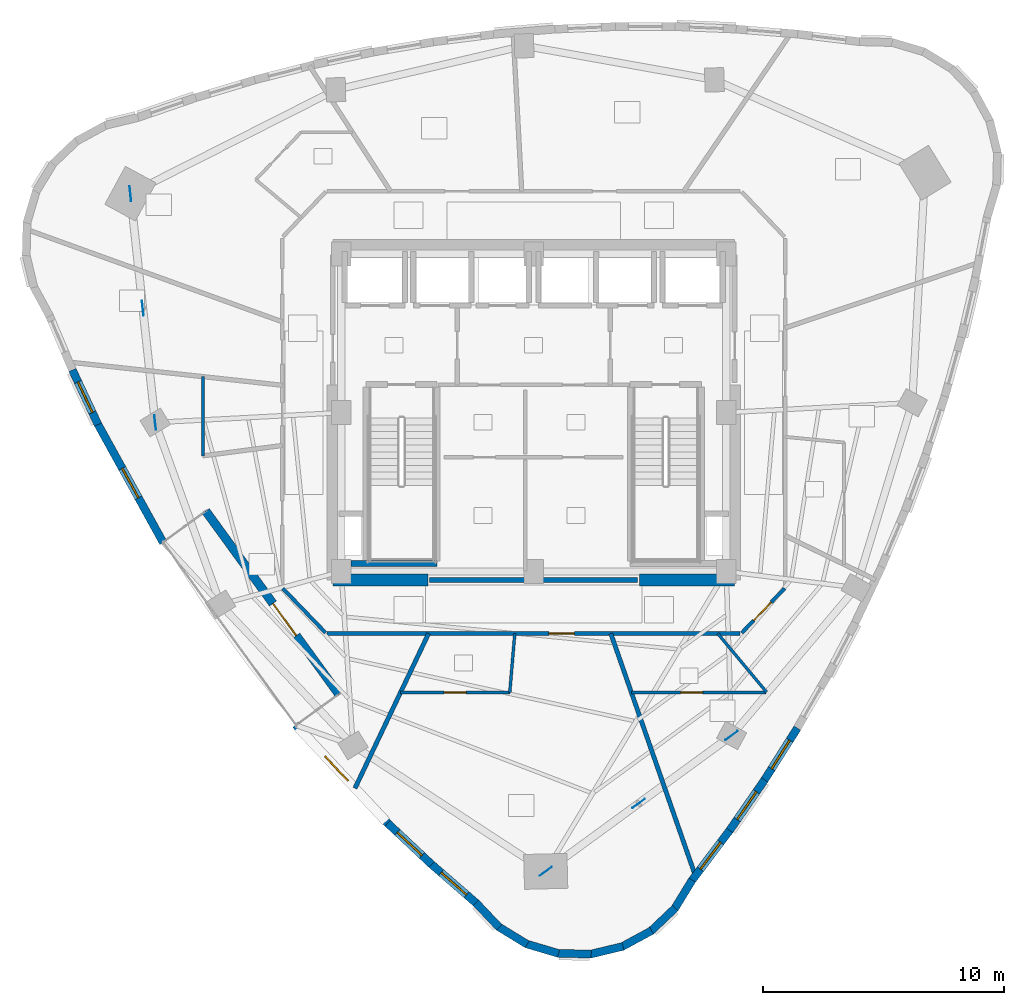
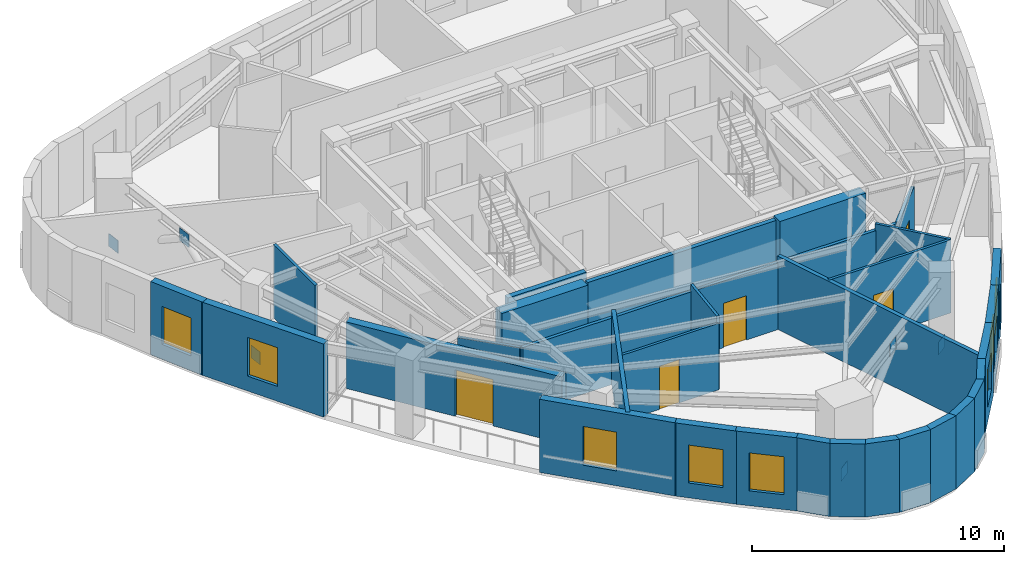
# One storey, part 6 of 13: 31 walls, 8 windows, 6 plates, 5 doors, 13 openings.
"""IFC4 building model written with IfcOpenShell, lengths in metres."""

from ifc_helpers import new_model, si_unit, direction, frame, frame_2d, origin, origin_2d, place, context, subcontext, project, spatial, rectangle, extrude, material, layer, layer_set, type_object, element, fill, save


model = new_model("IFC4")

# Units and contexts
model_context = context("Model", 3, precision=1e-05, world=origin(), true_north=direction((0.0, 1.0)))
body_context = subcontext(model_context, "Body", "Model", "MODEL_VIEW")
ifc_project = project(units=[si_unit("LENGTHUNIT", "METRE"), si_unit("AREAUNIT", "SQUARE_METRE"), si_unit("VOLUMEUNIT", "CUBIC_METRE"), si_unit("PLANEANGLEUNIT", "RADIAN"), si_unit("MASSUNIT", "GRAM", prefix="KILO")], contexts=[model_context])

# Site, building, storey
site_placement = place(None, origin())
site = spatial("IfcSite", under=ifc_project, at=site_placement, CompositionType="ELEMENT")
building_placement = place(site_placement, origin())
building = spatial("IfcBuilding", under=site, at=building_placement, Name="Ndelora Gate Hotel", CompositionType="ELEMENT")
storey_placement = place(building_placement, frame((0.0, 0.0, 228.35009765625)))
storey = spatial("IfcBuildingStorey", under=building, at=storey_placement, Name="L57", CompositionType="ELEMENT", Elevation=228.35009765625)

# Plates
ifc_material_1 = material(Name="Steel S355", Category="steel")
ifc_layer_1 = layer(ifc_material_1, 0.02001953125)
ifc_layer_set_1 = layer_set([ifc_layer_1], Name="Steel S355")
plate_type = type_object("IfcPlateType", Name="PL-NODE-VN1", PredefinedType="USERDEFINED", material=ifc_layer_set_1)
for number, where, z_axis, x_axis, name in (
    (1, (-16.759521484375, 9.099609375, -0.2900390625), (0.0, 0.0, 1.0), (-0.107652324982, 0.994188602291, 0.0), "Node gusset cap plate VN1"),
    (2, (-15.72998046875, -0.411865234375, -0.2900390625), (0.0, 0.0, 1.0), (-0.107652324982, 0.994188602291, 0.0), "Node gusset cap plate VN1"),
    (3, (-16.24462890625, 4.343994140625, 2.68994140625), (0.0, 0.0, 1.0), (-0.107652324982, 0.994188602291, 0.0), "Node gusset cap plate VN1"),
    (4, (0.499267578125, -19.064208984375, -0.2900390625), (0.0, 0.0, 1.0), (0.807475405485, 0.589901237104, 0.0), "Node gusset cap plate VN1"),
    (5, (8.223876953125, -13.419921875, -0.2900390625), (0.0, 0.0, 1.0), (0.807475405485, 0.589901237104, 0.0), "Node gusset cap plate VN1"),
    (6, (4.361572265625, -16.241943359375, 2.68994140625), (0.0, 0.0, 1.0), (0.807475405485, 0.589901237104, 0.0), "Node gusset cap plate VN1"),
):
    element("IfcPlate", number, at=place(storey_placement, frame(where, z_axis=z_axis, x_axis=x_axis)), inside=storey, type_object=plate_type, Name=name, ObjectType="GUSSET_PLATE", PredefinedType="USERDEFINED", context=body_context, shape_type="SweptSolid", body=[
        extrude(rectangle(XDim=0.6201171875, YDim=0.02001953125, at=origin_2d()), origin(), (0.0, 0.0, 1.0), 0.6201171875),
    ])

# Walls
ifc_material_2 = material(Name="Acoustic Double-Stud Gypsum Assembly", Category="gypsum")
ifc_layer_2 = layer(ifc_material_2, 0.179931640625)
ifc_layer_set_2 = layer_set([ifc_layer_2], Name="Acoustic Double-Stud Gypsum Assembly")
wall_type_1 = type_object("IfcWallType", Name="WL-ACOUST-180", PredefinedType="PARTITIONING", material=ifc_layer_set_2)
wall_1_placement = place(storey_placement, frame((-4.368408203125, -9.179931640625, 0.0), z_axis=(0.0, 0.0, 1.0), x_axis=(-0.429699353622, -0.902972018114, 0.0)))
element("IfcWall", 7, at=wall_1_placement, inside=storey, type_object=wall_type_1, Name="L57 Interior Wall IW-3", PredefinedType="PARTITIONING", context=body_context, shape_type="SweptSolid", body=[
    extrude(rectangle(XDim=7.121337890625, YDim=0.179931640625, at=frame_2d((3.560546875, 0.0))), origin(), (0.0, 0.0, 1.0), 3.5498046875),
])
wall_2_placement = place(storey_placement, frame((3.2041015625, -9.179931640625, 0.0), z_axis=(0.0, 0.0, 1.0), x_axis=(0.329550080766, -0.944138095973, 0.0)))
element("IfcWall", 8, at=wall_2_placement, inside=storey, type_object=wall_type_1, Name="L57 Interior Wall IW-3", PredefinedType="PARTITIONING", context=body_context, shape_type="SweptSolid", body=[
    extrude(rectangle(XDim=10.66796875, YDim=0.179931640625, at=frame_2d((5.333984375, 0.0))), origin(), (0.0, 0.0, 1.0), 3.5498046875),
])

# Wall, opening, window
ifc_material_3 = material(Name="Clay Brick Masonry", Category="masonry")
ifc_layer_3 = layer(ifc_material_3, 0.330078125)
ifc_layer_set_3 = layer_set([ifc_layer_3], Name="Clay Brick Masonry")
wall_type_2 = type_object("IfcWallType", Name="WL-BRICK-330", PredefinedType="SOLIDWALL", material=ifc_layer_set_3)
wall_3_placement = place(storey_placement, frame((-18.105224609375, -0.498291015625, 0.0), z_axis=(0.0, 0.0, 1.0), x_axis=(-0.425281427791, 0.905061162119, 0.0)))
wall_3 = element("IfcWall", 9, at=wall_3_placement, inside=storey, type_object=wall_type_2, Name="L57 Tower Brick Pier-and-Spandrel Wall TWR-10", PredefinedType="SOLIDWALL", context=body_context, shape_type="SweptSolid", body=[
    extrude(rectangle(XDim=2.5087890625, YDim=0.330078125, at=frame_2d((1.25439453125, 0.0))), origin(), (0.0, 0.0, 1.0), 3.5498046875),
])
opening_1_placement = place(wall_3_placement, frame((0.554443359375, 0.0, 0.719970703125)))
opening_1 = element("IfcOpeningElement", 10, at=opening_1_placement, cuts=wall_3, Name="Opening W02", PredefinedType="OPENING", context=body_context, shape_type="SweptSolid", body=[
    extrude(rectangle(XDim=1.39990234375, YDim=1.840087890625, at=frame_2d((0.699951171875, 0.919921875))), frame((0.0, 0.175048828125, 0.0), z_axis=(0.0, -1.0, 0.0), x_axis=(1.0, 0.0, 0.0)), (0.0, 0.0, 1.0), 0.35009765625),
])
ifc_material_4 = material(Name="Insulated Low-E Double Glazing in Bronze Aluminium Frame", Category="aluminium")
window_type = type_object("IfcWindowType", Name="WN-DEEP-1400", PartitioningType="SINGLE_PANEL", PredefinedType="WINDOW", material=ifc_material_4)
window_1_placement = place(opening_1_placement, origin())
window_1 = element("IfcWindow", 11, at=window_1_placement, inside=storey, type_object=window_type, Name="L57 Deep-Set Brick-Pier Window W02", OverallHeight=1.840087890625, OverallWidth=1.39990234375, PartitioningType="SINGLE_PANEL", PredefinedType="WINDOW", context=body_context, shape_type="SweptSolid", body=[
    extrude(rectangle(XDim=1.39990234375, YDim=1.840087890625, at=frame_2d((0.699951171875, 0.919921875))), frame((0.0, 0.030029296875, 0.0), z_axis=(0.0, -1.0, 0.0), x_axis=(1.0, 0.0, 0.0)), (0.0, 0.0, 1.0), 0.06005859375),
])
fill(opening_1, window_1)

wall_4_placement = place(storey_placement, frame((-15.395263671875, -5.406494140625, 0.0), z_axis=(0.0, 0.0, 1.0), x_axis=(-0.483083047652, 0.87557453656, 0.0)))
wall_4 = element("IfcWall", 12, at=wall_4_placement, inside=storey, type_object=wall_type_2, Name="L57 Tower Brick Pier-and-Spandrel Wall TWR-11", PredefinedType="SOLIDWALL", context=body_context, shape_type="SweptSolid", body=[
    extrude(rectangle(XDim=5.65673828125, YDim=0.330078125, at=frame_2d((2.828369140625, 0.0))), origin(), (0.0, 0.0, 1.0), 3.5498046875),
])
opening_2_placement = place(wall_4_placement, frame((2.12841796875, 0.0, 0.719970703125)))
opening_2 = element("IfcOpeningElement", 13, at=opening_2_placement, cuts=wall_4, Name="Opening W02", PredefinedType="OPENING", context=body_context, shape_type="SweptSolid", body=[
    extrude(rectangle(XDim=1.39990234375, YDim=1.8798828125, at=frame_2d((0.699951171875, 0.93994140625))), frame((0.0, 0.175048828125, 0.0), z_axis=(0.0, -1.0, 0.0), x_axis=(1.0, 0.0, 0.0)), (0.0, 0.0, 1.0), 0.35009765625),
])
window_2_placement = place(opening_2_placement, origin())
window_2 = element("IfcWindow", 14, at=window_2_placement, inside=storey, type_object=window_type, Name="L57 Deep-Set Brick-Pier Window W02", OverallHeight=1.8798828125, OverallWidth=1.39990234375, PartitioningType="SINGLE_PANEL", PredefinedType="WINDOW", context=body_context, shape_type="SweptSolid", body=[
    extrude(rectangle(XDim=1.39990234375, YDim=1.8798828125, at=frame_2d((0.699951171875, 0.93994140625))), frame((0.0, 0.030029296875, 0.0), z_axis=(0.0, -1.0, 0.0), x_axis=(1.0, 0.0, 0.0)), (0.0, 0.0, 1.0), 0.06005859375),
])
fill(opening_2, window_2)

wall_5_placement = place(storey_placement, frame((-6.033203125, -17.100341796875, 0.0), z_axis=(0.0, 0.0, 1.0), x_axis=(-0.683483012733, 0.72996641793, 0.0)))
wall_5 = element("IfcWall", 15, at=wall_5_placement, inside=storey, type_object=wall_type_2, Name="L57 Tower Brick Pier-and-Spandrel Wall TWR-16", PredefinedType="SOLIDWALL", context=body_context, shape_type="SweptSolid", body=[
    extrude(rectangle(XDim=5.65673828125, YDim=0.330078125, at=frame_2d((2.828369140625, 0.0))), origin(), (0.0, 0.0, 1.0), 3.5498046875),
])
opening_3_placement = place(wall_5_placement, frame((2.4599609375, 0.0, 0.719970703125)))
opening_3 = element("IfcOpeningElement", 16, at=opening_3_placement, cuts=wall_5, Name="Opening W02", PredefinedType="OPENING", context=body_context, shape_type="SweptSolid", body=[
    extrude(rectangle(XDim=1.39990234375, YDim=1.8798828125, at=frame_2d((0.699951171875, 0.93994140625))), frame((0.0, 0.175048828125, 0.0), z_axis=(0.0, -1.0, 0.0), x_axis=(1.0, 0.0, 0.0)), (0.0, 0.0, 1.0), 0.35009765625),
])
window_3_placement = place(opening_3_placement, origin())
window_3 = element("IfcWindow", 17, at=window_3_placement, inside=storey, type_object=window_type, Name="L57 Deep-Set Brick-Pier Window W02", OverallHeight=1.8798828125, OverallWidth=1.39990234375, PartitioningType="SINGLE_PANEL", PredefinedType="WINDOW", context=body_context, shape_type="SweptSolid", body=[
    extrude(rectangle(XDim=1.39990234375, YDim=1.8798828125, at=frame_2d((0.699951171875, 0.93994140625))), frame((0.0, 0.030029296875, 0.0), z_axis=(0.0, -1.0, 0.0), x_axis=(1.0, 0.0, 0.0)), (0.0, 0.0, 1.0), 0.06005859375),
])
fill(opening_3, window_3)

wall_6_placement = place(storey_placement, frame((-4.239013671875, -18.781494140625, 0.0), z_axis=(0.0, 0.0, 1.0), x_axis=(-0.729324721521, 0.684167706471, 0.0)))
wall_6 = element("IfcWall", 18, at=wall_6_placement, inside=storey, type_object=wall_type_2, Name="L57 Tower Brick Pier-and-Spandrel Wall TWR-17", PredefinedType="SOLIDWALL", context=body_context, shape_type="SweptSolid", body=[
    extrude(rectangle(XDim=2.508544921875, YDim=0.330078125, at=frame_2d((1.25439453125, 0.0))), origin(), (0.0, 0.0, 1.0), 3.5498046875),
])
opening_4_placement = place(wall_6_placement, frame((0.554443359375, 0.0, 0.719970703125)))
opening_4 = element("IfcOpeningElement", 19, at=opening_4_placement, cuts=wall_6, Name="Opening W02", PredefinedType="OPENING", context=body_context, shape_type="SweptSolid", body=[
    extrude(rectangle(XDim=1.39990234375, YDim=1.840087890625, at=frame_2d((0.699951171875, 0.919921875))), frame((0.0, 0.175048828125, 0.0), z_axis=(0.0, -1.0, 0.0), x_axis=(1.0, 0.0, 0.0)), (0.0, 0.0, 1.0), 0.35009765625),
])
window_4_placement = place(opening_4_placement, origin())
window_4 = element("IfcWindow", 20, at=window_4_placement, inside=storey, type_object=window_type, Name="L57 Deep-Set Brick-Pier Window W02", OverallHeight=1.840087890625, OverallWidth=1.39990234375, PartitioningType="SINGLE_PANEL", PredefinedType="WINDOW", context=body_context, shape_type="SweptSolid", body=[
    extrude(rectangle(XDim=1.39990234375, YDim=1.840087890625, at=frame_2d((0.699951171875, 0.919921875))), frame((0.0, 0.030029296875, 0.0), z_axis=(0.0, -1.0, 0.0), x_axis=(1.0, 0.0, 0.0)), (0.0, 0.0, 1.0), 0.06005859375),
])
fill(opening_4, window_4)

wall_7_placement = place(storey_placement, frame((-2.3662109375, -20.40576171875, 0.0), z_axis=(0.0, 0.0, 1.0), x_axis=(-0.755166427135, 0.655533116881, 0.0)))
wall_7 = element("IfcWall", 21, at=wall_7_placement, inside=storey, type_object=wall_type_2, Name="L57 Tower Brick Pier-and-Spandrel Wall TWR-18", PredefinedType="SOLIDWALL", context=body_context, shape_type="SweptSolid", body=[
    extrude(rectangle(XDim=2.52880859375, YDim=0.330078125, at=frame_2d((1.264404296875, 0.0))), origin(), (0.0, 0.0, 1.0), 3.5498046875),
])
opening_5_placement = place(wall_7_placement, frame((0.564453125, 0.0, 0.719970703125)))
opening_5 = element("IfcOpeningElement", 22, at=opening_5_placement, cuts=wall_7, Name="Opening W02", PredefinedType="OPENING", context=body_context, shape_type="SweptSolid", body=[
    extrude(rectangle(XDim=1.39990234375, YDim=1.840087890625, at=frame_2d((0.699951171875, 0.919921875))), frame((0.0, 0.175048828125, 0.0), z_axis=(0.0, -1.0, 0.0), x_axis=(1.0, 0.0, 0.0)), (0.0, 0.0, 1.0), 0.35009765625),
])
window_5_placement = place(opening_5_placement, origin())
window_5 = element("IfcWindow", 23, at=window_5_placement, inside=storey, type_object=window_type, Name="L57 Deep-Set Brick-Pier Window W02", OverallHeight=1.840087890625, OverallWidth=1.39990234375, PartitioningType="SINGLE_PANEL", PredefinedType="WINDOW", context=body_context, shape_type="SweptSolid", body=[
    extrude(rectangle(XDim=1.39990234375, YDim=1.840087890625, at=frame_2d((0.699951171875, 0.919921875))), frame((0.0, 0.030029296875, 0.0), z_axis=(0.0, -1.0, 0.0), x_axis=(1.0, 0.0, 0.0)), (0.0, 0.0, 1.0), 0.06005859375),
])
fill(opening_5, window_5)

# Walls
wall_8_placement = place(storey_placement, frame((-1.43359375, -21.39208984375, 0.0), z_axis=(0.0, 0.0, 1.0), x_axis=(-0.688302566146, 0.725423722687, 0.0)))
element("IfcWall", 24, at=wall_8_placement, inside=storey, type_object=wall_type_2, Name="L57 Tower Brick Pier-and-Spandrel Wall TWR-19", PredefinedType="SOLIDWALL", context=body_context, shape_type="SweptSolid", body=[
    extrude(rectangle(XDim=1.407470703125, YDim=0.330078125, at=frame_2d((0.70361328125, 0.0))), origin(), (0.0, 0.0, 1.0), 3.5498046875),
])
wall_9_placement = place(storey_placement, frame((-0.27197265625, -22.09619140625, 0.0), z_axis=(0.0, 0.0, 1.0), x_axis=(-0.852633662668, 0.522509174355, 0.0)))
element("IfcWall", 25, at=wall_9_placement, inside=storey, type_object=wall_type_2, Name="L57 Tower Brick Pier-and-Spandrel Wall TWR-20", PredefinedType="SOLIDWALL", context=body_context, shape_type="SweptSolid", body=[
    extrude(rectangle(XDim=1.4072265625, YDim=0.330078125, at=frame_2d((0.70361328125, 0.0))), origin(), (0.0, 0.0, 1.0), 3.5498046875),
])
for number, where, z_axis, x_axis, name in (
    (26, (1.0322265625, -22.475830078125, 0.0), (0.0, 0.0, 1.0), (-0.95884184708, 0.283940684455, 0.0), "L57 Tower Brick Pier-and-Spandrel Wall TWR-21"),
    (27, (2.390380859375, -22.5048828125, 0.0), (0.0, 0.0, 1.0), (-0.999656913907, 0.02619264168, 0.0), "L57 Tower Brick Pier-and-Spandrel Wall TWR-22"),
    (28, (3.709716796875, -22.181640625, 0.0), (0.0, 0.0, 1.0), (-0.972404618844, -0.233300787076, 0.0), "L57 Tower Brick Pier-and-Spandrel Wall TWR-23"),
):
    element("IfcWall", number, at=place(storey_placement, frame(where, z_axis=z_axis, x_axis=x_axis)), inside=storey, type_object=wall_type_2, Name=name, PredefinedType="SOLIDWALL", context=body_context, shape_type="SweptSolid", body=[
        extrude(rectangle(XDim=1.407470703125, YDim=0.330078125, at=frame_2d((0.70361328125, 0.0))), origin(), (0.0, 0.0, 1.0), 3.5498046875),
    ])
wall_10_placement = place(storey_placement, frame((4.900146484375, -21.52783203125, 0.0), z_axis=(0.0, 0.0, 1.0), x_axis=(-0.878861744685, -0.477076549129, 0.0)))
element("IfcWall", 29, at=wall_10_placement, inside=storey, type_object=wall_type_2, Name="L57 Tower Brick Pier-and-Spandrel Wall TWR-24", PredefinedType="SOLIDWALL", context=body_context, shape_type="SweptSolid", body=[
    extrude(rectangle(XDim=1.4072265625, YDim=0.330078125, at=frame_2d((0.70361328125, 0.0))), origin(), (0.0, 0.0, 1.0), 3.5498046875),
])
for number, where, z_axis, x_axis, name in (
    (30, (5.881103515625, -20.588134765625, 0.0), (0.0, 0.0, 1.0), (-0.725423722687, -0.688302566146, 0.0), "L57 Tower Brick Pier-and-Spandrel Wall TWR-25"),
    (31, (6.585205078125, -19.426513671875, 0.0), (0.0, 0.0, 1.0), (-0.522431898615, -0.852681013809, 0.0), "L57 Tower Brick Pier-and-Spandrel Wall TWR-26"),
):
    element("IfcWall", number, at=place(storey_placement, frame(where, z_axis=z_axis, x_axis=x_axis)), inside=storey, type_object=wall_type_2, Name=name, PredefinedType="SOLIDWALL", context=body_context, shape_type="SweptSolid", body=[
        extrude(rectangle(XDim=1.407470703125, YDim=0.330078125, at=frame_2d((0.70361328125, 0.0))), origin(), (0.0, 0.0, 1.0), 3.5498046875),
    ])

# Wall, opening, window
wall_11_placement = place(storey_placement, frame((8.140625, -17.365966796875, 0.0), z_axis=(0.0, 0.0, 1.0), x_axis=(-0.601735324528, -0.798695561034, 0.0)))
wall_11 = element("IfcWall", 32, at=wall_11_placement, inside=storey, type_object=wall_type_2, Name="L57 Tower Brick Pier-and-Spandrel Wall TWR-27", PredefinedType="SOLIDWALL", context=body_context, shape_type="SweptSolid", body=[
    extrude(rectangle(XDim=2.631591796875, YDim=0.330078125, at=frame_2d((1.31591796875, 0.0))), origin(), (0.0, 0.0, 1.0), 3.5498046875),
])
opening_6_placement = place(wall_11_placement, frame((0.61572265625, 0.0, 0.719970703125)))
opening_6 = element("IfcOpeningElement", 33, at=opening_6_placement, cuts=wall_11, Name="Opening W02", PredefinedType="OPENING", context=body_context, shape_type="SweptSolid", body=[
    extrude(rectangle(XDim=1.39990234375, YDim=1.840087890625, at=frame_2d((0.699951171875, 0.919921875))), frame((0.0, 0.175048828125, 0.0), z_axis=(0.0, -1.0, 0.0), x_axis=(1.0, 0.0, 0.0)), (0.0, 0.0, 1.0), 0.35009765625),
])
window_6_placement = place(opening_6_placement, origin())
window_6 = element("IfcWindow", 34, at=window_6_placement, inside=storey, type_object=window_type, Name="L57 Deep-Set Brick-Pier Window W02", OverallHeight=1.840087890625, OverallWidth=1.39990234375, PartitioningType="SINGLE_PANEL", PredefinedType="WINDOW", context=body_context, shape_type="SweptSolid", body=[
    extrude(rectangle(XDim=1.39990234375, YDim=1.840087890625, at=frame_2d((0.699951171875, 0.919921875))), frame((0.0, 0.030029296875, 0.0), z_axis=(0.0, -1.0, 0.0), x_axis=(1.0, 0.0, 0.0)), (0.0, 0.0, 1.0), 0.06005859375),
])
fill(opening_6, window_6)

wall_12_placement = place(storey_placement, frame((9.596923828125, -15.260498046875, 0.0), z_axis=(0.0, 0.0, 1.0), x_axis=(-0.569122418308, -0.822252803571, 0.0)))
wall_12 = element("IfcWall", 35, at=wall_12_placement, inside=storey, type_object=wall_type_2, Name="L57 Tower Brick Pier-and-Spandrel Wall TWR-28", PredefinedType="SOLIDWALL", context=body_context, shape_type="SweptSolid", body=[
    extrude(rectangle(XDim=2.60986328125, YDim=0.330078125, at=frame_2d((1.304931640625, 0.0))), origin(), (0.0, 0.0, 1.0), 3.5498046875),
])
opening_7_placement = place(wall_12_placement, frame((0.60498046875, 0.0, 0.719970703125)))
opening_7 = element("IfcOpeningElement", 36, at=opening_7_placement, cuts=wall_12, Name="Opening W02", PredefinedType="OPENING", context=body_context, shape_type="SweptSolid", body=[
    extrude(rectangle(XDim=1.39990234375, YDim=1.840087890625, at=frame_2d((0.699951171875, 0.919921875))), frame((0.0, 0.175048828125, 0.0), z_axis=(0.0, -1.0, 0.0), x_axis=(1.0, 0.0, 0.0)), (0.0, 0.0, 1.0), 0.35009765625),
])
window_7_placement = place(opening_7_placement, origin())
window_7 = element("IfcWindow", 37, at=window_7_placement, inside=storey, type_object=window_type, Name="L57 Deep-Set Brick-Pier Window W02", OverallHeight=1.840087890625, OverallWidth=1.39990234375, PartitioningType="SINGLE_PANEL", PredefinedType="WINDOW", context=body_context, shape_type="SweptSolid", body=[
    extrude(rectangle(XDim=1.39990234375, YDim=1.840087890625, at=frame_2d((0.699951171875, 0.919921875))), frame((0.0, 0.030029296875, 0.0), z_axis=(0.0, -1.0, 0.0), x_axis=(1.0, 0.0, 0.0)), (0.0, 0.0, 1.0), 0.06005859375),
])
fill(opening_7, window_7)

wall_13_placement = place(storey_placement, frame((10.956787109375, -13.112060546875, 0.0), z_axis=(0.0, 0.0, 1.0), x_axis=(-0.535186500918, -0.844733928072, 0.0)))
wall_13 = element("IfcWall", 38, at=wall_13_placement, inside=storey, type_object=wall_type_2, Name="L57 Tower Brick Pier-and-Spandrel Wall TWR-29", PredefinedType="SOLIDWALL", context=body_context, shape_type="SweptSolid", body=[
    extrude(rectangle(XDim=2.592529296875, YDim=0.330078125, at=frame_2d((1.29638671875, 0.0))), origin(), (0.0, 0.0, 1.0), 3.5498046875),
])
opening_8_placement = place(wall_13_placement, frame((0.59619140625, 0.0, 0.719970703125)))
opening_8 = element("IfcOpeningElement", 39, at=opening_8_placement, cuts=wall_13, Name="Opening W02", PredefinedType="OPENING", context=body_context, shape_type="SweptSolid", body=[
    extrude(rectangle(XDim=1.39990234375, YDim=1.840087890625, at=frame_2d((0.699951171875, 0.919921875))), frame((0.0, 0.175048828125, 0.0), z_axis=(0.0, -1.0, 0.0), x_axis=(1.0, 0.0, 0.0)), (0.0, 0.0, 1.0), 0.35009765625),
])
window_8_placement = place(opening_8_placement, origin())
window_8 = element("IfcWindow", 40, at=window_8_placement, inside=storey, type_object=window_type, Name="L57 Deep-Set Brick-Pier Window W02", OverallHeight=1.840087890625, OverallWidth=1.39990234375, PartitioningType="SINGLE_PANEL", PredefinedType="WINDOW", context=body_context, shape_type="SweptSolid", body=[
    extrude(rectangle(XDim=1.39990234375, YDim=1.840087890625, at=frame_2d((0.699951171875, 0.919921875))), frame((0.0, 0.030029296875, 0.0), z_axis=(0.0, -1.0, 0.0), x_axis=(1.0, 0.0, 0.0)), (0.0, 0.0, 1.0), 0.06005859375),
])
fill(opening_8, window_8)

# Wall, opening, door
ifc_layer_4 = layer(ifc_material_3, 0.360107421875)
ifc_layer_set_4 = layer_set([ifc_layer_4], Name="Clay Brick Masonry")
wall_type_3 = type_object("IfcWallType", Name="WL-BRICK-360", PredefinedType="SOLIDWALL", material=ifc_layer_set_4)
wall_14_placement = place(storey_placement, frame((-8.102294921875, -11.6962890625, 0.0), z_axis=(0.0, 0.0, 1.0), x_axis=(-0.587801006747, 0.809005547859, 0.0)))
wall_14 = element("IfcWall", 41, at=wall_14_placement, inside=storey, type_object=wall_type_3, Name="L57 Sky-Garden Loggia Rear Brick Wall", PredefinedType="SOLIDWALL", context=body_context, shape_type="SweptSolid", body=[
    extrude(rectangle(XDim=9.400146484375, YDim=0.360107421875, at=frame_2d((4.7001953125, 0.0))), origin(), (0.0, 0.0, 1.0), 3.22998046875),
])
opening_9_placement = place(wall_14_placement, frame((3.0, 0.0, 0.0)))
opening_9 = element("IfcOpeningElement", 42, at=opening_9_placement, cuts=wall_14, Name="Opening TD1", PredefinedType="OPENING", context=body_context, shape_type="SweptSolid", body=[
    extrude(rectangle(XDim=1.64990234375, YDim=2.25, at=frame_2d((0.824951171875, 1.125))), frame((0.0, 0.18994140625, 0.0), z_axis=(0.0, -1.0, 0.0), x_axis=(1.0, 0.0, 0.0)), (0.0, 0.0, 1.0), 0.380126953125),
])
ifc_material_5 = material(Name="Architectural Bronze Glazed Door", Category="metal")
door_type_1 = type_object("IfcDoorType", Name="DR-TER-1650", OperationType="DOUBLE_DOOR_SINGLE_SWING", PredefinedType="DOOR", material=ifc_material_5)
door_1_placement = place(opening_9_placement, origin())
door_1 = element("IfcDoor", 43, at=door_1_placement, inside=storey, type_object=door_type_1, Name="L57 Sky-Garden Terrace Double Door TD1", OperationType="DOUBLE_DOOR_SINGLE_SWING", OverallHeight=2.25, OverallWidth=1.64990234375, PredefinedType="DOOR", context=body_context, shape_type="SweptSolid", body=[
    extrude(rectangle(XDim=1.64990234375, YDim=2.25, at=frame_2d((0.824951171875, 1.125))), frame((0.0, 0.02490234375, 0.0), z_axis=(0.0, -1.0, 0.0), x_axis=(1.0, 0.0, 0.0)), (0.0, 0.0, 1.0), 0.050048828125),
])
fill(opening_9, door_1)

# Walls
ifc_material_6 = material(Name="Concrete C50/60", Category="concrete")
ifc_layer_5 = layer(ifc_material_6, 0.5)
ifc_layer_set_5 = layer_set([ifc_layer_5], Name="Concrete C50/60")
wall_type_4 = type_object("IfcWallType", Name="WL-CORE-500", PredefinedType="SHEAR", material=ifc_layer_set_5)
for number, where, z_axis, x_axis, name in (
    (44, (-8.35009765625, -6.949951171875, 0.0), (0.0, 0.0, 1.0), (1.0, 0.0, 0.0), "L57 Core Shear Wall S-W"),
    (45, (4.39990234375, -6.949951171875, 0.0), (0.0, 0.0, 1.0), (1.0, 0.0, 0.0), "L57 Core Shear Wall S-E"),
):
    element("IfcWall", number, at=place(storey_placement, frame(where, z_axis=z_axis, x_axis=x_axis)), inside=storey, type_object=wall_type_4, Name=name, PredefinedType="SHEAR", context=body_context, shape_type="SweptSolid", body=[
        extrude(rectangle(XDim=3.9501953125, YDim=0.5, at=frame_2d((1.97509765625, 0.0))), origin(), (0.0, 0.0, 1.0), 3.5498046875),
    ])
ifc_material_7 = material(Name="Concrete C40/50", Category="concrete")
ifc_layer_6 = layer(ifc_material_7, 0.199951171875)
ifc_layer_set_6 = layer_set([ifc_layer_6], Name="Concrete C40/50")
wall_type_5 = type_object("IfcWallType", Name="WL-FIRE-200", PredefinedType="PARTITIONING", material=ifc_layer_set_6)
wall_15_placement = place(storey_placement, frame((-4.320068359375, -6.949951171875, 0.0), z_axis=(0.0, 0.0, 1.0), x_axis=(1.0, 0.0, 0.0)))
element("IfcWall", 46, at=wall_15_placement, inside=storey, type_object=wall_type_5, Name="L57 Interior Wall IW-2", PredefinedType="PARTITIONING", context=body_context, shape_type="SweptSolid", body=[
    extrude(rectangle(XDim=8.64013671875, YDim=0.199951171875, at=frame_2d((4.320068359375, 0.0))), origin(), (0.0, 0.0, 1.0), 3.5498046875),
])

# Wall, opening, door
ifc_material_8 = material(Name="Fire-Rated Gypsum Stud Partition", Category="gypsum")
ifc_layer_7 = layer(ifc_material_8, 0.14990234375)
ifc_layer_set_7 = layer_set([ifc_layer_7], Name="Fire-Rated Gypsum Stud Partition")
wall_type_6 = type_object("IfcWallType", Name="WL-PART-150", PredefinedType="PARTITIONING", material=ifc_layer_set_7)
wall_16_placement = place(storey_placement, frame((8.580078125, -9.179931640625, 0.0), z_axis=(0.0, 0.0, 1.0), x_axis=(-1.0, 0.0, 0.0)))
wall_16 = element("IfcWall", 47, at=wall_16_placement, inside=storey, type_object=wall_type_6, Name="L57 Interior Wall IW-5", PredefinedType="PARTITIONING", context=body_context, shape_type="SweptSolid", body=[
    extrude(rectangle(XDim=17.16015625, YDim=0.14990234375, at=frame_2d((8.580078125, 0.0))), origin(), (0.0, 0.0, 1.0), 3.22998046875),
])
opening_10_placement = place(wall_16_placement, frame((6.8857421875, 0.0, 0.0)))
opening_10 = element("IfcOpeningElement", 48, at=opening_10_placement, cuts=wall_16, Name="Opening D07", PredefinedType="OPENING", context=body_context, shape_type="SweptSolid", body=[
    extrude(rectangle(XDim=1.06005859375, YDim=2.14990234375, at=frame_2d((0.530029296875, 1.074951171875))), frame((0.0, 0.0849609375, 0.0), z_axis=(0.0, -1.0, 0.0), x_axis=(1.0, 0.0, 0.0)), (0.0, 0.0, 1.0), 0.169921875),
])
ifc_material_9 = material(Name="Diplomatic Suite Acoustic Entrance Door", Category="wood")
door_type_2 = type_object("IfcDoorType", Name="DR-SUITE-1060", OperationType="SINGLE_SWING_LEFT", PredefinedType="DOOR", material=ifc_material_9)
door_2_placement = place(opening_10_placement, origin())
door_2 = element("IfcDoor", 49, at=door_2_placement, inside=storey, type_object=door_type_2, Name="L57 Highland Executive Two-Bay Suite 6001 Entrance Door", OperationType="SINGLE_SWING_LEFT", OverallHeight=2.14990234375, OverallWidth=1.06005859375, PredefinedType="DOOR", context=body_context, shape_type="SweptSolid", body=[
    extrude(rectangle(XDim=1.06005859375, YDim=2.14990234375, at=frame_2d((0.530029296875, 1.074951171875))), frame((0.0, 0.02490234375, 0.0), z_axis=(0.0, -1.0, 0.0), x_axis=(1.0, 0.0, 0.0)), (0.0, 0.0, 1.0), 0.050048828125),
])
fill(opening_10, door_2)

wall_17_placement = place(storey_placement, frame((10.42236328125, -7.308837890625, 0.0), z_axis=(0.0, 0.0, 1.0), x_axis=(-0.693764562202, -0.720201869085, 0.0)))
wall_17 = element("IfcWall", 50, at=wall_17_placement, inside=storey, type_object=wall_type_6, Name="L57 Interior Wall IW-5", PredefinedType="PARTITIONING", context=body_context, shape_type="SweptSolid", body=[
    extrude(rectangle(XDim=2.55810546875, YDim=0.14990234375, at=frame_2d((1.279052734375, 0.0))), origin(), (0.0, 0.0, 1.0), 3.22998046875),
])
opening_11_placement = place(wall_17_placement, frame((0.7890625, 0.0, 0.0)))
opening_11 = element("IfcOpeningElement", 51, at=opening_11_placement, cuts=wall_17, Name="Opening D07", PredefinedType="OPENING", context=body_context, shape_type="SweptSolid", body=[
    extrude(rectangle(XDim=1.06005859375, YDim=2.14990234375, at=frame_2d((0.530029296875, 1.074951171875))), frame((0.0, 0.0849609375, 0.0), z_axis=(0.0, -1.0, 0.0), x_axis=(1.0, 0.0, 0.0)), (0.0, 0.0, 1.0), 0.169921875),
])
door_3_placement = place(opening_11_placement, origin())
door_3 = element("IfcDoor", 52, at=door_3_placement, inside=storey, type_object=door_type_2, Name="L57 Corner Panoramic Executive Suite 6002 Entrance Door", OperationType="SINGLE_SWING_LEFT", OverallHeight=2.14990234375, OverallWidth=1.06005859375, PredefinedType="DOOR", context=body_context, shape_type="SweptSolid", body=[
    extrude(rectangle(XDim=1.06005859375, YDim=2.14990234375, at=frame_2d((0.530029296875, 1.074951171875))), frame((0.0, 0.02490234375, 0.0), z_axis=(0.0, -1.0, 0.0), x_axis=(1.0, 0.0, 0.0)), (0.0, 0.0, 1.0), 0.050048828125),
])
fill(opening_11, door_3)

# Walls
wall_18_placement = place(storey_placement, frame((-8.647705078125, -9.151123046875, 0.0), z_axis=(0.0, 0.0, 1.0), x_axis=(-0.693764562202, 0.720201869085, 0.0)))
element("IfcWall", 53, at=wall_18_placement, inside=storey, type_object=wall_type_6, Name="L57 Interior Wall IW-5", PredefinedType="PARTITIONING", context=body_context, shape_type="SweptSolid", body=[
    extrude(rectangle(XDim=2.55810546875, YDim=0.14990234375, at=frame_2d((1.279052734375, 0.0))), origin(), (0.0, 0.0, 1.0), 3.22998046875),
])
ifc_layer_8 = layer(ifc_material_6, 0.239990234375)
ifc_layer_set_8 = layer_set([ifc_layer_8], Name="Concrete C50/60")
wall_type_7 = type_object("IfcWallType", Name="WL-STAIR-240", PredefinedType="SHEAR", material=ifc_layer_set_8)
wall_19_placement = place(storey_placement, frame((-7.60009765625, -6.27001953125, 0.0), z_axis=(0.0, 0.0, 1.0), x_axis=(1.0, 0.0, 0.0)))
element("IfcWall", 54, at=wall_19_placement, inside=storey, type_object=wall_type_7, Name="L57 Stair Core Shear Wall SW-ST", PredefinedType="SHEAR", context=body_context, shape_type="SweptSolid", body=[
    extrude(rectangle(XDim=3.590087890625, YDim=0.239990234375, at=frame_2d((1.794921875, 0.0))), origin(), (0.0, 0.0, 1.0), 3.5498046875),
])
ifc_material_10 = material(Name="Moisture-Resistant Bathroom Tile Partition", Category="gypsum")
ifc_layer_9 = layer(ifc_material_10, 0.1201171875)
ifc_layer_set_9 = layer_set([ifc_layer_9], Name="Moisture-Resistant Bathroom Tile Partition")
wall_type_8 = type_object("IfcWallType", Name="WL-WET-120", PredefinedType="PARTITIONING", material=ifc_layer_set_9)
wall_20_placement = place(storey_placement, frame((-0.78564453125, -9.179931640625, 0.0), z_axis=(0.0, 0.0, 1.0), x_axis=(-0.085189929116, -0.996364730396, 0.0)))
element("IfcWall", 55, at=wall_20_placement, inside=storey, type_object=wall_type_8, Name="L57 Interior Wall IW-7", PredefinedType="PARTITIONING", context=body_context, shape_type="SweptSolid", body=[
    extrude(rectangle(XDim=2.458984375, YDim=0.1201171875, at=frame_2d((1.2294921875, 0.0))), origin(), (0.0, 0.0, 1.0), 3.5498046875),
])

# Wall, opening, door
wall_21_placement = place(storey_placement, frame((-0.9951171875, -11.6298828125, 0.0), z_axis=(0.0, 0.0, 1.0), x_axis=(-1.0, 0.0, 0.0)))
wall_21 = element("IfcWall", 56, at=wall_21_placement, inside=storey, type_object=wall_type_8, Name="L57 Interior Wall IW-7", PredefinedType="PARTITIONING", context=body_context, shape_type="SweptSolid", body=[
    extrude(rectangle(XDim=4.5390625, YDim=0.1201171875, at=frame_2d((2.26953125, 0.0))), origin(), (0.0, 0.0, 1.0), 3.22998046875),
])
opening_12_placement = place(wall_21_placement, frame((1.8095703125, 0.0, 0.0)))
opening_12 = element("IfcOpeningElement", 57, at=opening_12_placement, cuts=wall_21, Name="Opening D03", PredefinedType="OPENING", context=body_context, shape_type="SweptSolid", body=[
    extrude(rectangle(XDim=0.919921875, YDim=2.10009765625, at=frame_2d((0.4599609375, 1.050048828125))), frame((0.0, 0.070068359375, 0.0), z_axis=(0.0, -1.0, 0.0), x_axis=(1.0, 0.0, 0.0)), (0.0, 0.0, 1.0), 0.14013671875),
])
ifc_material_11 = material(Name="Moisture-Resistant Hardwood En-Suite Door", Category="wood")
door_type_3 = type_object("IfcDoorType", Name="DR-BATH-920", OperationType="SINGLE_SWING_LEFT", PredefinedType="DOOR", material=ifc_material_11)
door_4_placement = place(opening_12_placement, origin())
door_4 = element("IfcDoor", 58, at=door_4_placement, inside=storey, type_object=door_type_3, Name="L57 En-suite Bathroom 6001 Door", OperationType="SINGLE_SWING_RIGHT", OverallHeight=2.10009765625, OverallWidth=0.919921875, PredefinedType="DOOR", context=body_context, shape_type="SweptSolid", body=[
    extrude(rectangle(XDim=0.919921875, YDim=2.10009765625, at=frame_2d((0.4599609375, 1.050048828125))), frame((0.0, 0.02490234375, 0.0), z_axis=(0.0, -1.0, 0.0), x_axis=(1.0, 0.0, 0.0)), (0.0, 0.0, 1.0), 0.050048828125),
])
fill(opening_12, door_4)

# Wall
wall_22_placement = place(storey_placement, frame((9.676513671875, -11.61474609375, 0.0), z_axis=(0.0, 0.0, 1.0), x_axis=(-0.640055568221, 0.768328620832, 0.0)))
element("IfcWall", 59, at=wall_22_placement, inside=storey, type_object=wall_type_8, Name="L57 Interior Wall IW-7", PredefinedType="PARTITIONING", context=body_context, shape_type="SweptSolid", body=[
    extrude(rectangle(XDim=3.1689453125, YDim=0.1201171875, at=frame_2d((1.58447265625, 0.0))), origin(), (0.0, 0.0, 1.0), 3.5498046875),
])

# Wall, opening, door
wall_23_placement = place(storey_placement, frame((9.661865234375, -11.6298828125, 0.0), z_axis=(0.0, 0.0, 1.0), x_axis=(-1.0, 0.0, 0.0)))
wall_23 = element("IfcWall", 60, at=wall_23_placement, inside=storey, type_object=wall_type_8, Name="L57 Interior Wall IW-7", PredefinedType="PARTITIONING", context=body_context, shape_type="SweptSolid", body=[
    extrude(rectangle(XDim=5.6025390625, YDim=0.1201171875, at=frame_2d((2.80126953125, 0.0))), origin(), (0.0, 0.0, 1.0), 3.5498046875),
])
opening_13_placement = place(wall_23_placement, frame((2.639892578125, 0.0, 0.0)))
opening_13 = element("IfcOpeningElement", 61, at=opening_13_placement, cuts=wall_23, Name="Opening D03", PredefinedType="OPENING", context=body_context, shape_type="SweptSolid", body=[
    extrude(rectangle(XDim=0.919921875, YDim=2.10009765625, at=frame_2d((0.4599609375, 1.050048828125))), frame((0.0, 0.070068359375, 0.0), z_axis=(0.0, -1.0, 0.0), x_axis=(1.0, 0.0, 0.0)), (0.0, 0.0, 1.0), 0.14013671875),
])
door_5_placement = place(opening_13_placement, origin())
door_5 = element("IfcDoor", 62, at=door_5_placement, inside=storey, type_object=door_type_3, Name="L57 En-suite Bathroom 6002 Door", OperationType="SINGLE_SWING_LEFT", OverallHeight=2.10009765625, OverallWidth=0.919921875, PredefinedType="DOOR", context=body_context, shape_type="SweptSolid", body=[
    extrude(rectangle(XDim=0.919921875, YDim=2.10009765625, at=frame_2d((0.4599609375, 1.050048828125))), frame((0.0, 0.02490234375, 0.0), z_axis=(0.0, -1.0, 0.0), x_axis=(1.0, 0.0, 0.0)), (0.0, 0.0, 1.0), 0.050048828125),
])
fill(opening_13, door_5)

# Wall
ifc_material_12 = material(Name="Moisture-Resistant Fire-Rated Tile Partition", Category="gypsum")
ifc_layer_10 = layer(ifc_material_12, 0.1298828125)
ifc_layer_set_10 = layer_set([ifc_layer_10], Name="Moisture-Resistant Fire-Rated Tile Partition")
wall_type_9 = type_object("IfcWallType", Name="WL-WET-RATED", PredefinedType="PARTITIONING", material=ifc_layer_set_10)
wall_24_placement = place(storey_placement, frame((-13.75, -1.797607421875, 0.0), z_axis=(0.0, 0.0, 1.0), x_axis=(0.0, 1.0, 0.0)))
element("IfcWall", 63, at=wall_24_placement, inside=storey, type_object=wall_type_9, Name="L57 Interior Wall IW-6", PredefinedType="PARTITIONING", context=body_context, shape_type="SweptSolid", body=[
    extrude(rectangle(XDim=3.29296875, YDim=0.1298828125, at=frame_2d((1.646484375, 0.0))), origin(), (0.0, 0.0, 1.0), 3.5498046875),
])

save(model, "model.ifc")
